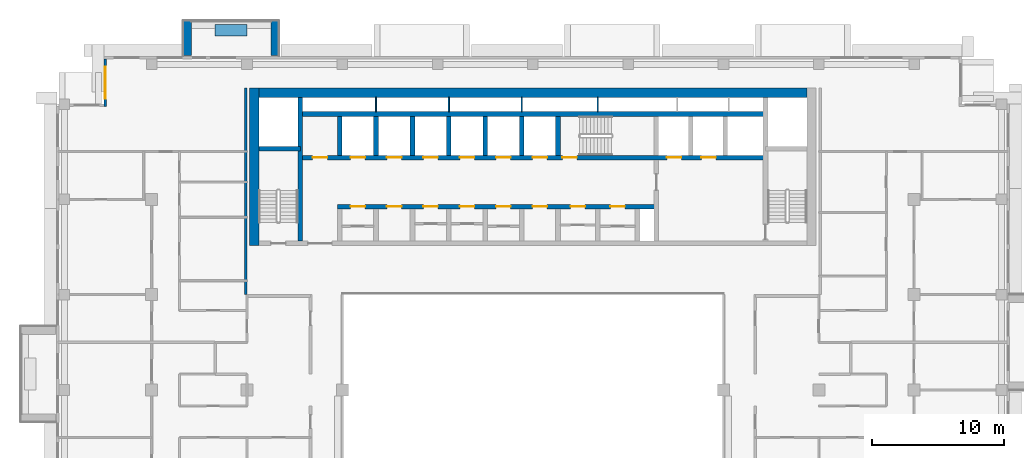
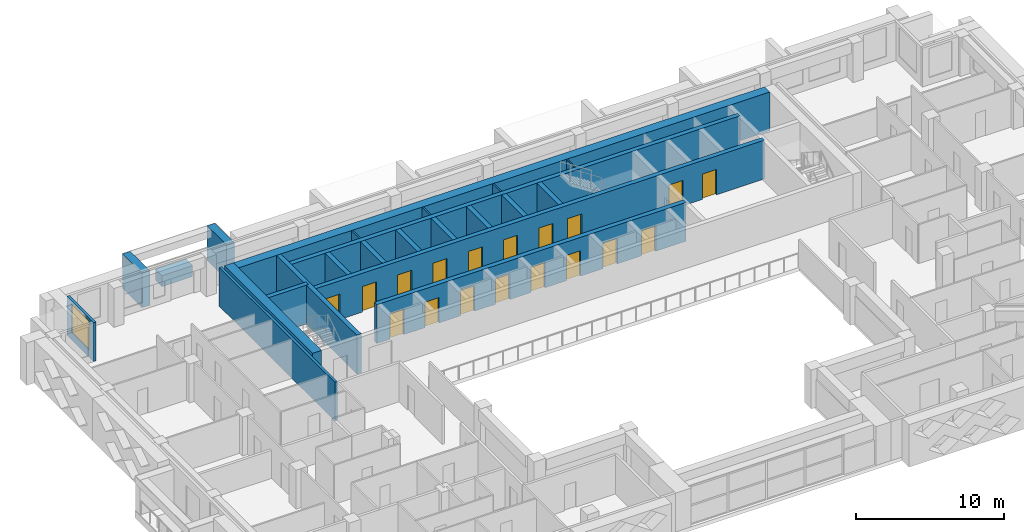
# One storey, part 10 of 20: 23 walls, 18 doors, 1 window, 19 openings.
"""IFC4 building model written with IfcOpenShell, lengths in metres."""

from ifc_helpers import new_model, si_unit, direction, frame, frame_2d, origin, place, context, subcontext, project, spatial, rectangle, extrude, material, layer, layer_set, type_object, element, fill, save


model = new_model("IFC4")

# Units and contexts
model_context = context("Model", 3, precision=1e-05, world=origin(), true_north=direction((0.0, 1.0)))
body_context = subcontext(model_context, "Body", "Model", "MODEL_VIEW")
ifc_project = project(units=[si_unit("LENGTHUNIT", "METRE"), si_unit("AREAUNIT", "SQUARE_METRE"), si_unit("VOLUMEUNIT", "CUBIC_METRE"), si_unit("PLANEANGLEUNIT", "RADIAN"), si_unit("MASSUNIT", "GRAM", prefix="KILO")], contexts=[model_context])

# Site, building, storey
site_placement = place(None, origin())
site = spatial("IfcSite", under=ifc_project, at=site_placement, CompositionType="ELEMENT")
building_placement = place(site_placement, origin())
building = spatial("IfcBuilding", under=site, at=building_placement, Name="Saffron Iwan Residences", CompositionType="ELEMENT")
storey_placement = place(building_placement, frame((0.0, 0.0, 181.5)))
storey = spatial("IfcBuildingStorey", under=building, at=storey_placement, Name="L48", CompositionType="ELEMENT", Elevation=181.5)

# Walls
ifc_material_1 = material(Name="Concrete C50/60 white painted", Category="concrete")
ifc_layer_1 = layer(ifc_material_1, 0.60009765625)
ifc_layer_set_1 = layer_set([ifc_layer_1], Name="Concrete C50/60 white painted")
wall_type_1 = type_object("IfcWallType", Name="BALCONY FIN 600", PredefinedType="SOLIDWALL", material=ifc_layer_set_1)
for number, where, z_axis, x_axis, name in (
    (1, (30.89990234375, 80.449951171875, 0.0), (0.0, 0.0, 1.0), (0.0, 1.0, 0.0), "Balcony fin L48 F5-3a"),
    (2, (24.300048828125, 80.449951171875, 0.0), (0.0, 0.0, 1.0), (0.0, 1.0, 0.0), "Balcony fin L48 F5-3b"),
):
    element("IfcWall", number, at=place(storey_placement, frame(where, z_axis=z_axis, x_axis=x_axis)), inside=storey, type_object=wall_type_1, Name=name, PredefinedType="SOLIDWALL", context=body_context, shape_type="SweptSolid", body=[
        extrude(rectangle(XDim=2.650146484375, YDim=0.60009765625, at=frame_2d((1.3251953125, 0.0))), origin(), (0.0, 0.0, 1.0), 2.85009765625),
    ])
ifc_material_2 = material(Name="Concrete C35/45 white painted", Category="concrete")
ifc_layer_2 = layer(ifc_material_2, 0.14990234375)
ifc_layer_set_2 = layer_set([ifc_layer_2], Name="Concrete C35/45 white painted")
wall_type_2 = type_object("IfcWallType", Name="BALCONY PLANTER", PredefinedType="SOLIDWALL", material=ifc_layer_set_2)
wall_1_placement = place(storey_placement, frame((28.800048828125, 82.375, 0.0), z_axis=(0.0, 0.0, 1.0), x_axis=(-1.0, 0.0, 0.0)))
element("IfcWall", 3, at=wall_1_placement, inside=storey, type_object=wall_type_2, Name="PLANTER L48 F5-3", PredefinedType="SOLIDWALL", context=body_context, shape_type="SweptSolid", body=[
    extrude(rectangle(XDim=2.400146484375, YDim=0.89990234375, at=frame_2d((1.2001953125, 0.0))), origin(), (0.0, 0.0, 1.0), 0.89990234375),
])

# Wall, opening, window
ifc_material_3 = material(Name="Concrete C40/50", Category="concrete")
ifc_layer_3 = layer(ifc_material_3, 0.199951171875)
ifc_layer_set_3 = layer_set([ifc_layer_3], Name="Concrete C40/50")
wall_type_3 = type_object("IfcWallType", Name="EXTERNAL WALL 200", PredefinedType="SOLIDWALL", material=ifc_layer_set_3)
wall_2_placement = place(storey_placement, frame((18.10009765625, 80.199951171875, 0.0), z_axis=(0.0, 0.0, 1.0), x_axis=(0.0, -1.0, 0.0)))
wall_2 = element("IfcWall", 4, at=wall_2_placement, inside=storey, type_object=wall_type_3, Name="External wall L48 F6.0", PredefinedType="SOLIDWALL", context=body_context, shape_type="SweptSolid", body=[
    extrude(rectangle(XDim=3.599853515625, YDim=0.199951171875, at=frame_2d((1.7998046875, 0.0))), origin(), (0.0, 0.0, 1.0), 3.199951171875),
])
opening_1_placement = place(wall_2_placement, frame((0.60009765625, 0.0, 0.60009765625)))
opening_1 = element("IfcOpeningElement", 5, at=opening_1_placement, cuts=wall_2, Name="Opening W1", PredefinedType="OPENING", context=body_context, shape_type="SweptSolid", body=[
    extrude(rectangle(XDim=2.39990234375, YDim=2.39990234375, at=frame_2d((1.199951171875, 1.199951171875))), frame((0.0, 0.10986328125, 0.0), z_axis=(0.0, -1.0, 0.0), x_axis=(1.0, 0.0, 0.0)), (0.0, 0.0, 1.0), 0.219970703125),
])
ifc_material_4 = material(Name="Clear glass, laminated double glazed", Category="glass")
window_type = type_object("IfcWindowType", Name="WINDOW 2400 x 2400", PartitioningType="DOUBLE_PANEL_VERTICAL", PredefinedType="WINDOW", material=ifc_material_4)
window_placement = place(opening_1_placement, origin())
window = element("IfcWindow", 6, at=window_placement, inside=storey, type_object=window_type, Name="Window L48 F6.0", OverallHeight=2.39990234375, OverallWidth=2.39990234375, PartitioningType="DOUBLE_PANEL_VERTICAL", PredefinedType="WINDOW", context=body_context, shape_type="SweptSolid", body=[
    extrude(rectangle(XDim=2.39990234375, YDim=2.39990234375, at=frame_2d((1.199951171875, 1.199951171875))), frame((0.0, 0.030029296875, 0.0), z_axis=(0.0, -1.0, 0.0), x_axis=(1.0, 0.0, 0.0)), (0.0, 0.0, 1.0), 0.06005859375),
])
fill(opening_1, window)

# Walls
ifc_material_5 = material(Name="Fire-rated gypsum board wall")
ifc_layer_4 = layer(ifc_material_5, 0.199951171875)
ifc_layer_set_4 = layer_set([ifc_layer_4], Name="Fire-rated gypsum board wall")
wall_type_4 = type_object("IfcWallType", Name="Gallery wall 200", PredefinedType="SOLIDWALL", material=ifc_layer_set_4)
wall_3_placement = place(storey_placement, frame((28.699951171875, 62.39990234375, 0.0), z_axis=(0.0, 0.0, 1.0), x_axis=(0.0, 1.0, 0.0)))
element("IfcWall", 7, at=wall_3_placement, inside=storey, type_object=wall_type_4, Name="W-L48-CORR-v28.8-62.4", PredefinedType="SOLIDWALL", context=body_context, shape_type="SweptSolid", body=[
    extrude(rectangle(XDim=15.60009765625, YDim=0.199951171875, at=frame_2d((7.800048828125, 0.0))), origin(), (0.0, 0.0, 1.0), 3.199951171875),
])
ifc_material_6 = material(Name="Fire-rated plasterboard partition")
ifc_layer_5 = layer(ifc_material_6, 0.10009765625)
ifc_layer_set_5 = layer_set([ifc_layer_5], Name="Fire-rated plasterboard partition")
wall_type_5 = type_object("IfcWallType", Name="Riser partition 100", PredefinedType="PARTITIONING", material=ifc_layer_set_5)
for number, where, z_axis, x_axis, name in (
    (8, (38.550048828125, 76.22509765625, 0.0), (0.0, 0.0, 1.0), (0.0, 1.0, 0.0), "Core partition P07"),
    (9, (44.050048828125, 76.22509765625, 0.0), (0.0, 0.0, 1.0), (0.0, 1.0, 0.0), "Core partition P08"),
    (10, (49.550048828125, 76.22509765625, 0.0), (0.0, 0.0, 1.0), (0.0, 1.0, 0.0), "Core partition P09"),
    (11, (55.300048828125, 76.22509765625, 0.0), (0.0, 0.0, 1.0), (0.0, 1.0, 0.0), "Core partition P10"),
):
    element("IfcWall", number, at=place(storey_placement, frame(where, z_axis=z_axis, x_axis=x_axis)), inside=storey, type_object=wall_type_5, Name=name, PredefinedType="PARTITIONING", context=body_context, shape_type="SweptSolid", body=[
        extrude(rectangle(XDim=1.074951171875, YDim=0.10009765625, at=frame_2d((0.53759765625, 0.0))), origin(), (0.0, 0.0, 1.0), 3.199951171875),
    ])

# Wall, openings, doors
ifc_material_7 = material(Name="Concrete C50/60", Category="concrete")
ifc_layer_6 = layer(ifc_material_7, 0.35009765625)
ifc_layer_set_6 = layer_set([ifc_layer_6], Name="Concrete C50/60")
wall_type_6 = type_object("IfcWallType", Name="WALL CORE 350 C50/60 3200 HIGH", PredefinedType="SHEAR", material=ifc_layer_set_6)
wall_4_placement = place(storey_placement, frame((35.625, 69.050048828125, 0.0), z_axis=(0.0, 0.0, 1.0), x_axis=(1.0, 0.0, 0.0)))
wall_4 = element("IfcWall", 12, at=wall_4_placement, inside=storey, type_object=wall_type_6, Name="Core wall", PredefinedType="SHEAR", context=body_context, shape_type="SweptSolid", body=[
    extrude(rectangle(XDim=24.10009765625, YDim=0.35009765625, at=frame_2d((12.050048828125, 0.0))), origin(), (0.0, 0.0, 1.0), 3.199951171875),
])
opening_2_placement = place(wall_4_placement, frame((1.0, 0.0, 0.0)))
opening_2 = element("IfcOpeningElement", 13, at=opening_2_placement, cuts=wall_4, Name="Opening SR", PredefinedType="OPENING", context=body_context, shape_type="SweptSolid", body=[
    extrude(rectangle(XDim=1.10009765625, YDim=2.10009765625, at=frame_2d((0.550048828125, 1.050048828125))), frame((0.0, 0.18505859375, 0.0), z_axis=(0.0, -1.0, 0.0), x_axis=(1.0, 0.0, 0.0)), (0.0, 0.0, 1.0), 0.3701171875),
])
opening_3_placement = place(wall_4_placement, frame((3.75, 0.0, 0.0)))
opening_3 = element("IfcOpeningElement", 14, at=opening_3_placement, cuts=wall_4, Name="Opening SR", PredefinedType="OPENING", context=body_context, shape_type="SweptSolid", body=[
    extrude(rectangle(XDim=1.10009765625, YDim=2.10009765625, at=frame_2d((0.550048828125, 1.050048828125))), frame((0.0, 0.18505859375, 0.0), z_axis=(0.0, -1.0, 0.0), x_axis=(1.0, 0.0, 0.0)), (0.0, 0.0, 1.0), 0.3701171875),
])
opening_4_placement = place(wall_4_placement, frame((6.5, 0.0, 0.0)))
opening_4 = element("IfcOpeningElement", 15, at=opening_4_placement, cuts=wall_4, Name="Opening SR", PredefinedType="OPENING", context=body_context, shape_type="SweptSolid", body=[
    extrude(rectangle(XDim=1.10009765625, YDim=2.10009765625, at=frame_2d((0.550048828125, 1.050048828125))), frame((0.0, 0.18505859375, 0.0), z_axis=(0.0, -1.0, 0.0), x_axis=(1.0, 0.0, 0.0)), (0.0, 0.0, 1.0), 0.3701171875),
])
opening_5_placement = place(wall_4_placement, frame((9.25, 0.0, 0.0)))
opening_5 = element("IfcOpeningElement", 16, at=opening_5_placement, cuts=wall_4, Name="Opening SR", PredefinedType="OPENING", context=body_context, shape_type="SweptSolid", body=[
    extrude(rectangle(XDim=1.10009765625, YDim=2.10009765625, at=frame_2d((0.550048828125, 1.050048828125))), frame((0.0, 0.18505859375, 0.0), z_axis=(0.0, -1.0, 0.0), x_axis=(1.0, 0.0, 0.0)), (0.0, 0.0, 1.0), 0.3701171875),
])
opening_6_placement = place(wall_4_placement, frame((12.0, 0.0, 0.0)))
opening_6 = element("IfcOpeningElement", 17, at=opening_6_placement, cuts=wall_4, Name="Opening SR", PredefinedType="OPENING", context=body_context, shape_type="SweptSolid", body=[
    extrude(rectangle(XDim=1.10009765625, YDim=2.10009765625, at=frame_2d((0.550048828125, 1.050048828125))), frame((0.0, 0.18505859375, 0.0), z_axis=(0.0, -1.0, 0.0), x_axis=(1.0, 0.0, 0.0)), (0.0, 0.0, 1.0), 0.3701171875),
])
opening_7_placement = place(wall_4_placement, frame((14.75, 0.0, 0.0)))
opening_7 = element("IfcOpeningElement", 18, at=opening_7_placement, cuts=wall_4, Name="Opening SR", PredefinedType="OPENING", context=body_context, shape_type="SweptSolid", body=[
    extrude(rectangle(XDim=1.10009765625, YDim=2.10009765625, at=frame_2d((0.550048828125, 1.050048828125))), frame((0.0, 0.18505859375, 0.0), z_axis=(0.0, -1.0, 0.0), x_axis=(1.0, 0.0, 0.0)), (0.0, 0.0, 1.0), 0.3701171875),
])
opening_8_placement = place(wall_4_placement, frame((17.625, 0.0, 0.0)))
opening_8 = element("IfcOpeningElement", 19, at=opening_8_placement, cuts=wall_4, Name="Opening SR", PredefinedType="OPENING", context=body_context, shape_type="SweptSolid", body=[
    extrude(rectangle(XDim=1.10009765625, YDim=2.10009765625, at=frame_2d((0.550048828125, 1.050048828125))), frame((0.0, 0.18505859375, 0.0), z_axis=(0.0, -1.0, 0.0), x_axis=(1.0, 0.0, 0.0)), (0.0, 0.0, 1.0), 0.3701171875),
])
opening_9_placement = place(wall_4_placement, frame((20.625, 0.0, 0.0)))
opening_9 = element("IfcOpeningElement", 20, at=opening_9_placement, cuts=wall_4, Name="Opening SR", PredefinedType="OPENING", context=body_context, shape_type="SweptSolid", body=[
    extrude(rectangle(XDim=1.10009765625, YDim=2.10009765625, at=frame_2d((0.550048828125, 1.050048828125))), frame((0.0, 0.18505859375, 0.0), z_axis=(0.0, -1.0, 0.0), x_axis=(1.0, 0.0, 0.0)), (0.0, 0.0, 1.0), 0.3701171875),
])
ifc_material_8 = material(Name="Steel fire door", Category="steel")
door_type_1 = type_object("IfcDoorType", Name="Service door 1100", OperationType="NOTDEFINED", PredefinedType="DOOR", material=ifc_material_8)
door_1_placement = place(opening_2_placement, origin())
door_1 = element("IfcDoor", 21, at=door_1_placement, inside=storey, type_object=door_type_1, Name="Door Linen store", OperationType="SINGLE_SWING_RIGHT", OverallHeight=2.10009765625, OverallWidth=1.10009765625, PredefinedType="DOOR", context=body_context, shape_type="SweptSolid", body=[
    extrude(rectangle(XDim=1.10009765625, YDim=2.10009765625, at=frame_2d((0.550048828125, 1.050048828125))), frame((0.0, 0.02490234375, 0.0), z_axis=(0.0, -1.0, 0.0), x_axis=(1.0, 0.0, 0.0)), (0.0, 0.0, 1.0), 0.050048828125),
])
fill(opening_2, door_1)
door_2_placement = place(opening_3_placement, origin())
door_2 = element("IfcDoor", 22, at=door_2_placement, inside=storey, type_object=door_type_1, Name="Door Pantry", OperationType="SINGLE_SWING_LEFT", OverallHeight=2.10009765625, OverallWidth=1.10009765625, PredefinedType="DOOR", context=body_context, shape_type="SweptSolid", body=[
    extrude(rectangle(XDim=1.10009765625, YDim=2.10009765625, at=frame_2d((0.550048828125, 1.050048828125))), frame((0.0, 0.02490234375, 0.0), z_axis=(0.0, -1.0, 0.0), x_axis=(1.0, 0.0, 0.0)), (0.0, 0.0, 1.0), 0.050048828125),
])
fill(opening_3, door_2)
door_3_placement = place(opening_4_placement, origin())
door_3 = element("IfcDoor", 23, at=door_3_placement, inside=storey, type_object=door_type_1, Name="Door Electrical room", OperationType="SINGLE_SWING_RIGHT", OverallHeight=2.10009765625, OverallWidth=1.10009765625, PredefinedType="DOOR", context=body_context, shape_type="SweptSolid", body=[
    extrude(rectangle(XDim=1.10009765625, YDim=2.10009765625, at=frame_2d((0.550048828125, 1.050048828125))), frame((0.0, 0.02490234375, 0.0), z_axis=(0.0, -1.0, 0.0), x_axis=(1.0, 0.0, 0.0)), (0.0, 0.0, 1.0), 0.050048828125),
])
fill(opening_4, door_3)
door_4_placement = place(opening_5_placement, origin())
door_4 = element("IfcDoor", 24, at=door_4_placement, inside=storey, type_object=door_type_1, Name="Door Luggage store", OperationType="SINGLE_SWING_LEFT", OverallHeight=2.10009765625, OverallWidth=1.10009765625, PredefinedType="DOOR", context=body_context, shape_type="SweptSolid", body=[
    extrude(rectangle(XDim=1.10009765625, YDim=2.10009765625, at=frame_2d((0.550048828125, 1.050048828125))), frame((0.0, 0.02490234375, 0.0), z_axis=(0.0, -1.0, 0.0), x_axis=(1.0, 0.0, 0.0)), (0.0, 0.0, 1.0), 0.050048828125),
])
fill(opening_5, door_4)
door_5_placement = place(opening_6_placement, origin())
door_5 = element("IfcDoor", 25, at=door_5_placement, inside=storey, type_object=door_type_1, Name="Door Refuse store", OperationType="SINGLE_SWING_RIGHT", OverallHeight=2.10009765625, OverallWidth=1.10009765625, PredefinedType="DOOR", context=body_context, shape_type="SweptSolid", body=[
    extrude(rectangle(XDim=1.10009765625, YDim=2.10009765625, at=frame_2d((0.550048828125, 1.050048828125))), frame((0.0, 0.02490234375, 0.0), z_axis=(0.0, -1.0, 0.0), x_axis=(1.0, 0.0, 0.0)), (0.0, 0.0, 1.0), 0.050048828125),
])
fill(opening_6, door_5)
door_6_placement = place(opening_7_placement, origin())
door_6 = element("IfcDoor", 26, at=door_6_placement, inside=storey, type_object=door_type_1, Name="Door Maintenance store", OperationType="SINGLE_SWING_LEFT", OverallHeight=2.10009765625, OverallWidth=1.10009765625, PredefinedType="DOOR", context=body_context, shape_type="SweptSolid", body=[
    extrude(rectangle(XDim=1.10009765625, YDim=2.10009765625, at=frame_2d((0.550048828125, 1.050048828125))), frame((0.0, 0.02490234375, 0.0), z_axis=(0.0, -1.0, 0.0), x_axis=(1.0, 0.0, 0.0)), (0.0, 0.0, 1.0), 0.050048828125),
])
fill(opening_7, door_6)
door_7_placement = place(opening_8_placement, origin())
door_7 = element("IfcDoor", 27, at=door_7_placement, inside=storey, type_object=door_type_1, Name="Door Cleaner's store", OperationType="SINGLE_SWING_RIGHT", OverallHeight=2.10009765625, OverallWidth=1.10009765625, PredefinedType="DOOR", context=body_context, shape_type="SweptSolid", body=[
    extrude(rectangle(XDim=1.10009765625, YDim=2.10009765625, at=frame_2d((0.550048828125, 1.050048828125))), frame((0.0, 0.02490234375, 0.0), z_axis=(0.0, -1.0, 0.0), x_axis=(1.0, 0.0, 0.0)), (0.0, 0.0, 1.0), 0.050048828125),
])
fill(opening_8, door_7)
door_8_placement = place(opening_9_placement, origin())
door_8 = element("IfcDoor", 28, at=door_8_placement, inside=storey, type_object=door_type_1, Name="Door Trolley store", OperationType="SINGLE_SWING_RIGHT", OverallHeight=2.10009765625, OverallWidth=1.10009765625, PredefinedType="DOOR", context=body_context, shape_type="SweptSolid", body=[
    extrude(rectangle(XDim=1.10009765625, YDim=2.10009765625, at=frame_2d((0.550048828125, 1.050048828125))), frame((0.0, 0.02490234375, 0.0), z_axis=(0.0, -1.0, 0.0), x_axis=(1.0, 0.0, 0.0)), (0.0, 0.0, 1.0), 0.050048828125),
])
fill(opening_9, door_8)

wall_5_placement = place(storey_placement, frame((32.824951171875, 72.75, 0.0), z_axis=(0.0, 0.0, 1.0), x_axis=(1.0, 0.0, 0.0)))
wall_5 = element("IfcWall", 29, at=wall_5_placement, inside=storey, type_object=wall_type_6, Name="Core wall", PredefinedType="SHEAR", context=body_context, shape_type="SweptSolid", body=[
    extrude(rectangle(XDim=35.150146484375, YDim=0.35009765625, at=frame_2d((17.5751953125, 0.0))), origin(), (0.0, 0.0, 1.0), 3.199951171875),
])
opening_10_placement = place(wall_5_placement, frame((19.800048828125, 0.0, 0.0)))
opening_10 = element("IfcOpeningElement", 30, at=opening_10_placement, cuts=wall_5, Name="Opening SD", PredefinedType="OPENING", context=body_context, shape_type="SweptSolid", body=[
    extrude(rectangle(XDim=1.10009765625, YDim=2.10009765625, at=frame_2d((0.550048828125, 1.050048828125))), frame((0.0, 0.18505859375, 0.0), z_axis=(0.0, -1.0, 0.0), x_axis=(1.0, 0.0, 0.0)), (0.0, 0.0, 1.0), 0.3701171875),
])
opening_11_placement = place(wall_5_placement, frame((27.699951171875, 0.0, 0.0)))
opening_11 = element("IfcOpeningElement", 31, at=opening_11_placement, cuts=wall_5, Name="Opening LD", PredefinedType="OPENING", context=body_context, shape_type="SweptSolid", body=[
    extrude(rectangle(XDim=1.10009765625, YDim=2.10009765625, at=frame_2d((0.550048828125, 1.050048828125))), frame((0.0, 0.18505859375, 0.0), z_axis=(0.0, -1.0, 0.0), x_axis=(1.0, 0.0, 0.0)), (0.0, 0.0, 1.0), 0.3701171875),
])
opening_12_placement = place(wall_5_placement, frame((30.300048828125, 0.0, 0.0)))
opening_12 = element("IfcOpeningElement", 32, at=opening_12_placement, cuts=wall_5, Name="Opening LD", PredefinedType="OPENING", context=body_context, shape_type="SweptSolid", body=[
    extrude(rectangle(XDim=1.10009765625, YDim=2.10009765625, at=frame_2d((0.550048828125, 1.050048828125))), frame((0.0, 0.18505859375, 0.0), z_axis=(0.0, -1.0, 0.0), x_axis=(1.0, 0.0, 0.0)), (0.0, 0.0, 1.0), 0.3701171875),
])
opening_13_placement = place(wall_5_placement, frame((3.800048828125, 0.0, 0.0)))
opening_13 = element("IfcOpeningElement", 33, at=opening_13_placement, cuts=wall_5, Name="Opening LD", PredefinedType="OPENING", context=body_context, shape_type="SweptSolid", body=[
    extrude(rectangle(XDim=1.10009765625, YDim=2.10009765625, at=frame_2d((0.550048828125, 1.050048828125))), frame((0.0, 0.18505859375, 0.0), z_axis=(0.0, -1.0, 0.0), x_axis=(1.0, 0.0, 0.0)), (0.0, 0.0, 1.0), 0.3701171875),
])
opening_14_placement = place(wall_5_placement, frame((6.550048828125, 0.0, 0.0)))
opening_14 = element("IfcOpeningElement", 34, at=opening_14_placement, cuts=wall_5, Name="Opening LD", PredefinedType="OPENING", context=body_context, shape_type="SweptSolid", body=[
    extrude(rectangle(XDim=1.10009765625, YDim=2.10009765625, at=frame_2d((0.550048828125, 1.050048828125))), frame((0.0, 0.18505859375, 0.0), z_axis=(0.0, -1.0, 0.0), x_axis=(1.0, 0.0, 0.0)), (0.0, 0.0, 1.0), 0.3701171875),
])
opening_15_placement = place(wall_5_placement, frame((9.300048828125, 0.0, 0.0)))
opening_15 = element("IfcOpeningElement", 35, at=opening_15_placement, cuts=wall_5, Name="Opening LD", PredefinedType="OPENING", context=body_context, shape_type="SweptSolid", body=[
    extrude(rectangle(XDim=1.10009765625, YDim=2.10009765625, at=frame_2d((0.550048828125, 1.050048828125))), frame((0.0, 0.18505859375, 0.0), z_axis=(0.0, -1.0, 0.0), x_axis=(1.0, 0.0, 0.0)), (0.0, 0.0, 1.0), 0.3701171875),
])
opening_16_placement = place(wall_5_placement, frame((12.050048828125, 0.0, 0.0)))
opening_16 = element("IfcOpeningElement", 36, at=opening_16_placement, cuts=wall_5, Name="Opening LD", PredefinedType="OPENING", context=body_context, shape_type="SweptSolid", body=[
    extrude(rectangle(XDim=1.10009765625, YDim=2.10009765625, at=frame_2d((0.550048828125, 1.050048828125))), frame((0.0, 0.18505859375, 0.0), z_axis=(0.0, -1.0, 0.0), x_axis=(1.0, 0.0, 0.0)), (0.0, 0.0, 1.0), 0.3701171875),
])
opening_17_placement = place(wall_5_placement, frame((14.800048828125, 0.0, 0.0)))
opening_17 = element("IfcOpeningElement", 37, at=opening_17_placement, cuts=wall_5, Name="Opening LD", PredefinedType="OPENING", context=body_context, shape_type="SweptSolid", body=[
    extrude(rectangle(XDim=1.10009765625, YDim=2.10009765625, at=frame_2d((0.550048828125, 1.050048828125))), frame((0.0, 0.18505859375, 0.0), z_axis=(0.0, -1.0, 0.0), x_axis=(1.0, 0.0, 0.0)), (0.0, 0.0, 1.0), 0.3701171875),
])
opening_18_placement = place(wall_5_placement, frame((17.550048828125, 0.0, 0.0)))
opening_18 = element("IfcOpeningElement", 38, at=opening_18_placement, cuts=wall_5, Name="Opening LD", PredefinedType="OPENING", context=body_context, shape_type="SweptSolid", body=[
    extrude(rectangle(XDim=1.10009765625, YDim=2.10009765625, at=frame_2d((0.550048828125, 1.050048828125))), frame((0.0, 0.18505859375, 0.0), z_axis=(0.0, -1.0, 0.0), x_axis=(1.0, 0.0, 0.0)), (0.0, 0.0, 1.0), 0.3701171875),
])
opening_19_placement = place(wall_5_placement, frame((0.9375, 0.0, 0.0)))
opening_19 = element("IfcOpeningElement", 39, at=opening_19_placement, cuts=wall_5, Name="Opening SR", PredefinedType="OPENING", context=body_context, shape_type="SweptSolid", body=[
    extrude(rectangle(XDim=1.10009765625, YDim=2.10009765625, at=frame_2d((0.550048828125, 1.050048828125))), frame((0.0, 0.18505859375, 0.0), z_axis=(0.0, -1.0, 0.0), x_axis=(1.0, 0.0, 0.0)), (0.0, 0.0, 1.0), 0.3701171875),
])
door_type_2 = type_object("IfcDoorType", Name="Lift landing door 1100", OperationType="SLIDING_TO_LEFT", PredefinedType="DOOR", material=ifc_material_8)
door_9_placement = place(opening_11_placement, origin())
door_9 = element("IfcDoor", 40, at=door_9_placement, inside=storey, type_object=door_type_2, Name="Landing doors FF1", OperationType="SLIDING_TO_LEFT", OverallHeight=2.10009765625, OverallWidth=1.10009765625, PredefinedType="DOOR", context=body_context, shape_type="SweptSolid", body=[
    extrude(rectangle(XDim=1.10009765625, YDim=2.10009765625, at=frame_2d((0.550048828125, 1.050048828125))), frame((0.0, 0.02490234375, 0.0), z_axis=(0.0, -1.0, 0.0), x_axis=(1.0, 0.0, 0.0)), (0.0, 0.0, 1.0), 0.050048828125),
])
fill(opening_11, door_9)
door_10_placement = place(opening_12_placement, origin())
door_10 = element("IfcDoor", 41, at=door_10_placement, inside=storey, type_object=door_type_2, Name="Landing doors FF2", OperationType="SLIDING_TO_LEFT", OverallHeight=2.10009765625, OverallWidth=1.10009765625, PredefinedType="DOOR", context=body_context, shape_type="SweptSolid", body=[
    extrude(rectangle(XDim=1.10009765625, YDim=2.10009765625, at=frame_2d((0.550048828125, 1.050048828125))), frame((0.0, 0.02490234375, 0.0), z_axis=(0.0, -1.0, 0.0), x_axis=(1.0, 0.0, 0.0)), (0.0, 0.0, 1.0), 0.050048828125),
])
fill(opening_12, door_10)
door_11_placement = place(opening_13_placement, origin())
door_11 = element("IfcDoor", 42, at=door_11_placement, inside=storey, type_object=door_type_2, Name="Landing doors HR1", OperationType="SLIDING_TO_LEFT", OverallHeight=2.10009765625, OverallWidth=1.10009765625, PredefinedType="DOOR", context=body_context, shape_type="SweptSolid", body=[
    extrude(rectangle(XDim=1.10009765625, YDim=2.10009765625, at=frame_2d((0.550048828125, 1.050048828125))), frame((0.0, 0.02490234375, 0.0), z_axis=(0.0, -1.0, 0.0), x_axis=(1.0, 0.0, 0.0)), (0.0, 0.0, 1.0), 0.050048828125),
])
fill(opening_13, door_11)
door_12_placement = place(opening_14_placement, origin())
door_12 = element("IfcDoor", 43, at=door_12_placement, inside=storey, type_object=door_type_2, Name="Landing doors HR2", OperationType="SLIDING_TO_LEFT", OverallHeight=2.10009765625, OverallWidth=1.10009765625, PredefinedType="DOOR", context=body_context, shape_type="SweptSolid", body=[
    extrude(rectangle(XDim=1.10009765625, YDim=2.10009765625, at=frame_2d((0.550048828125, 1.050048828125))), frame((0.0, 0.02490234375, 0.0), z_axis=(0.0, -1.0, 0.0), x_axis=(1.0, 0.0, 0.0)), (0.0, 0.0, 1.0), 0.050048828125),
])
fill(opening_14, door_12)
door_13_placement = place(opening_15_placement, origin())
door_13 = element("IfcDoor", 44, at=door_13_placement, inside=storey, type_object=door_type_2, Name="Landing doors HR3", OperationType="SLIDING_TO_LEFT", OverallHeight=2.10009765625, OverallWidth=1.10009765625, PredefinedType="DOOR", context=body_context, shape_type="SweptSolid", body=[
    extrude(rectangle(XDim=1.10009765625, YDim=2.10009765625, at=frame_2d((0.550048828125, 1.050048828125))), frame((0.0, 0.02490234375, 0.0), z_axis=(0.0, -1.0, 0.0), x_axis=(1.0, 0.0, 0.0)), (0.0, 0.0, 1.0), 0.050048828125),
])
fill(opening_15, door_13)
door_14_placement = place(opening_16_placement, origin())
door_14 = element("IfcDoor", 45, at=door_14_placement, inside=storey, type_object=door_type_2, Name="Landing doors HR4", OperationType="SLIDING_TO_LEFT", OverallHeight=2.10009765625, OverallWidth=1.10009765625, PredefinedType="DOOR", context=body_context, shape_type="SweptSolid", body=[
    extrude(rectangle(XDim=1.10009765625, YDim=2.10009765625, at=frame_2d((0.550048828125, 1.050048828125))), frame((0.0, 0.02490234375, 0.0), z_axis=(0.0, -1.0, 0.0), x_axis=(1.0, 0.0, 0.0)), (0.0, 0.0, 1.0), 0.050048828125),
])
fill(opening_16, door_14)
door_15_placement = place(opening_17_placement, origin())
door_15 = element("IfcDoor", 46, at=door_15_placement, inside=storey, type_object=door_type_2, Name="Landing doors HR5", OperationType="SLIDING_TO_LEFT", OverallHeight=2.10009765625, OverallWidth=1.10009765625, PredefinedType="DOOR", context=body_context, shape_type="SweptSolid", body=[
    extrude(rectangle(XDim=1.10009765625, YDim=2.10009765625, at=frame_2d((0.550048828125, 1.050048828125))), frame((0.0, 0.02490234375, 0.0), z_axis=(0.0, -1.0, 0.0), x_axis=(1.0, 0.0, 0.0)), (0.0, 0.0, 1.0), 0.050048828125),
])
fill(opening_17, door_15)
door_16_placement = place(opening_18_placement, origin())
door_16 = element("IfcDoor", 47, at=door_16_placement, inside=storey, type_object=door_type_2, Name="Landing doors HR6", OperationType="SLIDING_TO_LEFT", OverallHeight=2.10009765625, OverallWidth=1.10009765625, PredefinedType="DOOR", context=body_context, shape_type="SweptSolid", body=[
    extrude(rectangle(XDim=1.10009765625, YDim=2.10009765625, at=frame_2d((0.550048828125, 1.050048828125))), frame((0.0, 0.02490234375, 0.0), z_axis=(0.0, -1.0, 0.0), x_axis=(1.0, 0.0, 0.0)), (0.0, 0.0, 1.0), 0.050048828125),
])
fill(opening_18, door_16)
door_17_placement = place(opening_19_placement, origin())
door_17 = element("IfcDoor", 48, at=door_17_placement, inside=storey, type_object=door_type_1, Name="Door Storage room", OperationType="SINGLE_SWING_LEFT", OverallHeight=2.10009765625, OverallWidth=1.10009765625, PredefinedType="DOOR", context=body_context, shape_type="SweptSolid", body=[
    extrude(rectangle(XDim=1.10009765625, YDim=2.10009765625, at=frame_2d((0.550048828125, 1.050048828125))), frame((0.0, 0.02490234375, 0.0), z_axis=(0.0, -1.0, 0.0), x_axis=(1.0, 0.0, 0.0)), (0.0, 0.0, 1.0), 0.050048828125),
])
fill(opening_19, door_17)
door_type_3 = type_object("IfcDoorType", Name="Stair door 1100", OperationType="NOTDEFINED", PredefinedType="DOOR", material=ifc_material_8)
door_18_placement = place(opening_10_placement, origin())
door_18 = element("IfcDoor", 49, at=door_18_placement, inside=storey, type_object=door_type_3, Name="Stair door ST-C", OperationType="SINGLE_SWING_LEFT", OverallHeight=2.10009765625, OverallWidth=1.10009765625, PredefinedType="DOOR", context=body_context, shape_type="SweptSolid", body=[
    extrude(rectangle(XDim=1.10009765625, YDim=2.10009765625, at=frame_2d((0.550048828125, 1.050048828125))), frame((0.0, 0.02490234375, 0.0), z_axis=(0.0, -1.0, 0.0), x_axis=(1.0, 0.0, 0.0)), (0.0, 0.0, 1.0), 0.050048828125),
])
fill(opening_10, door_18)

# Walls
wall_6_placement = place(storey_placement, frame((32.824951171875, 76.050048828125, 0.0), z_axis=(0.0, 0.0, 1.0), x_axis=(1.0, 0.0, 0.0)))
element("IfcWall", 50, at=wall_6_placement, inside=storey, type_object=wall_type_6, Name="Core wall", PredefinedType="SHEAR", context=body_context, shape_type="SweptSolid", body=[
    extrude(rectangle(XDim=35.150146484375, YDim=0.35009765625, at=frame_2d((17.5751953125, 0.0))), origin(), (0.0, 0.0, 1.0), 3.199951171875),
])
wall_7_placement = place(storey_placement, frame((29.699951171875, 73.425048828125, 0.0), z_axis=(0.0, 0.0, 1.0), x_axis=(1.0, 0.0, 0.0)))
element("IfcWall", 51, at=wall_7_placement, inside=storey, type_object=wall_type_6, Name="Core wall", PredefinedType="SHEAR", context=body_context, shape_type="SweptSolid", body=[
    extrude(rectangle(XDim=3.125, YDim=0.35009765625, at=frame_2d((1.5625, 0.0))), origin(), (0.0, 0.0, 1.0), 3.199951171875),
])
wall_8_placement = place(storey_placement, frame((32.824951171875, 66.449951171875, 0.0), z_axis=(0.0, 0.0, 1.0), x_axis=(0.0, 1.0, 0.0)))
element("IfcWall", 52, at=wall_8_placement, inside=storey, type_object=wall_type_6, Name="Core wall", PredefinedType="SHEAR", context=body_context, shape_type="SweptSolid", body=[
    extrude(rectangle(XDim=10.85009765625, YDim=0.35009765625, at=frame_2d((5.425048828125, 0.0))), origin(), (0.0, 0.0, 1.0), 3.199951171875),
])
for number, where, z_axis, x_axis, name in (
    (53, (35.800048828125, 72.925048828125, 0.0), (0.0, 0.0, 1.0), (0.0, 1.0, 0.0), "Core wall"),
    (54, (38.550048828125, 72.925048828125, 0.0), (0.0, 0.0, 1.0), (0.0, 1.0, 0.0), "Core wall"),
    (55, (41.300048828125, 72.925048828125, 0.0), (0.0, 0.0, 1.0), (0.0, 1.0, 0.0), "Core wall"),
    (56, (44.050048828125, 72.925048828125, 0.0), (0.0, 0.0, 1.0), (0.0, 1.0, 0.0), "Core wall"),
    (57, (46.800048828125, 72.925048828125, 0.0), (0.0, 0.0, 1.0), (0.0, 1.0, 0.0), "Core wall"),
    (58, (49.550048828125, 72.925048828125, 0.0), (0.0, 0.0, 1.0), (0.0, 1.0, 0.0), "Core wall"),
    (59, (52.300048828125, 72.925048828125, 0.0), (0.0, 0.0, 1.0), (0.0, 1.0, 0.0), "Core wall"),
):
    element("IfcWall", number, at=place(storey_placement, frame(where, z_axis=z_axis, x_axis=x_axis)), inside=storey, type_object=wall_type_6, Name=name, PredefinedType="SHEAR", context=body_context, shape_type="SweptSolid", body=[
        extrude(rectangle(XDim=2.949951171875, YDim=0.35009765625, at=frame_2d((1.47509765625, 0.0))), origin(), (0.0, 0.0, 1.0), 3.199951171875),
    ])
ifc_layer_7 = layer(ifc_material_7, 0.699951171875)
ifc_layer_set_7 = layer_set([ifc_layer_7], Name="Concrete C50/60")
wall_type_7 = type_object("IfcWallType", Name="WALL CORE 700 C50/60 3200 HIGH", PredefinedType="SHEAR", material=ifc_layer_set_7)
wall_9_placement = place(storey_placement, frame((29.35009765625, 66.10009765625, 0.0), z_axis=(0.0, 0.0, 1.0), x_axis=(0.0, 1.0, 0.0)))
element("IfcWall", 60, at=wall_9_placement, inside=storey, type_object=wall_type_7, Name="Core wall", PredefinedType="SHEAR", context=body_context, shape_type="SweptSolid", body=[
    extrude(rectangle(XDim=11.89990234375, YDim=0.699951171875, at=frame_2d((5.949951171875, 0.0))), origin(), (0.0, 0.0, 1.0), 3.199951171875),
])
wall_10_placement = place(storey_placement, frame((29.699951171875, 77.64990234375, 0.0), z_axis=(0.0, 0.0, 1.0), x_axis=(1.0, 0.0, 0.0)))
element("IfcWall", 61, at=wall_10_placement, inside=storey, type_object=wall_type_7, Name="Core wall", PredefinedType="SHEAR", context=body_context, shape_type="SweptSolid", body=[
    extrude(rectangle(XDim=41.400146484375, YDim=0.699951171875, at=frame_2d((20.7001953125, 0.0))), origin(), (0.0, 0.0, 1.0), 3.199951171875),
])

save(model, "model.ifc")
